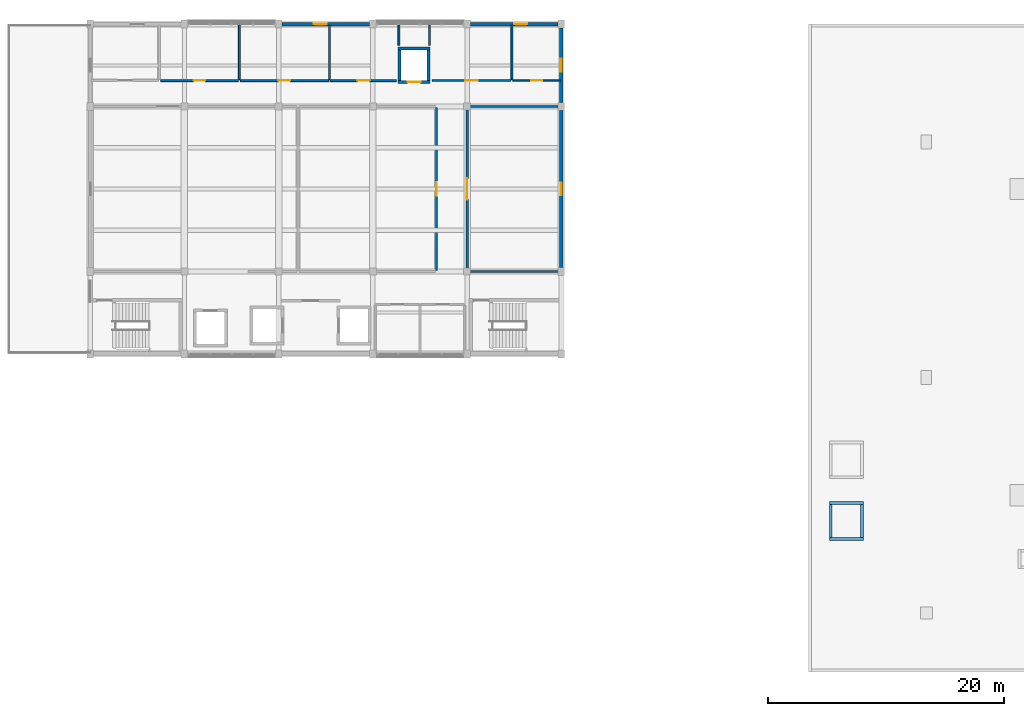
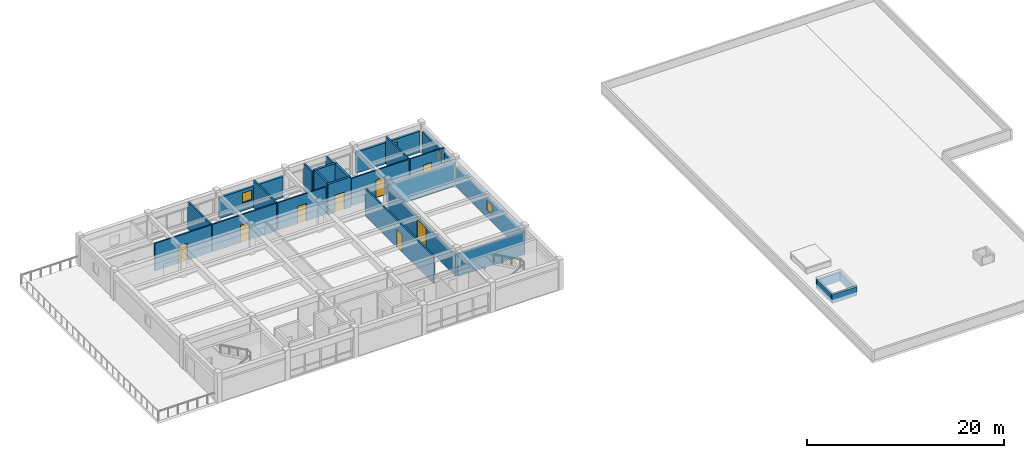
# One storey, part 7 of 10: 26 walls, 8 doors, 4 windows, 12 openings.
"""IFC4 building model written with IfcOpenShell, lengths in metres."""

from ifc_helpers import new_model, si_unit, direction, frame, frame_2d, origin, place, context, subcontext, project, spatial, rectangle, extrude, material, layer, layer_set, type_object, element, fill, save


model = new_model("IFC4")

# Units and contexts
model_context = context("Model", 3, precision=1e-05, world=origin(), true_north=direction((0.0, 1.0)))
body_context = subcontext(model_context, "Body", "Model", "MODEL_VIEW")
ifc_project = project(units=[si_unit("LENGTHUNIT", "METRE"), si_unit("AREAUNIT", "SQUARE_METRE"), si_unit("VOLUMEUNIT", "CUBIC_METRE"), si_unit("PLANEANGLEUNIT", "RADIAN"), si_unit("MASSUNIT", "GRAM", prefix="KILO")], contexts=[model_context])

# Site, building, storey
site_placement = place(None, origin())
site = spatial("IfcSite", under=ifc_project, at=site_placement, CompositionType="ELEMENT")
building_placement = place(site_placement, origin())
building = spatial("IfcBuilding", under=site, at=building_placement, Name="Naurynzar Civic Courthouse", CompositionType="ELEMENT")
storey_placement = place(building_placement, frame((0.0, 0.0, 33.300048828125)))
storey = spatial("IfcBuildingStorey", under=building, at=storey_placement, Name="L09", CompositionType="ELEMENT", Elevation=33.300048828125)

# Walls
ifc_material_1 = material(Name="Acoustic Double-Stud Gypsum Partition")
ifc_layer_1 = layer(ifc_material_1, 0.195068359375)
ifc_layer_set_1 = layer_set([ifc_layer_1], Name="WL-ACOUSTIC-195")
wall_type_1 = type_object("IfcWallType", Name="WL-ACOUSTIC-195", PredefinedType="PARTITIONING", material=ifc_layer_set_1)
for number, where, z_axis, x_axis, name in (
    (1, (101.080078125, 51.0, 0.0), (0.0, 0.0, 1.0), (1.0, 0.0, 0.0), "V2 interior partition L09.813"),
    (2, (101.080078125, 65.0, 0.0), (0.0, 0.0, 1.0), (1.0, 0.0, 0.0), "V2 interior partition L09.816"),
):
    element("IfcWall", number, at=place(storey_placement, frame(where, z_axis=z_axis, x_axis=x_axis)), inside=storey, type_object=wall_type_1, Name=name, PredefinedType="PARTITIONING", context=body_context, shape_type="SweptSolid", body=[
        extrude(rectangle(XDim=7.83984375, YDim=0.195068359375, at=frame_2d((3.919921875, 0.0))), origin(), (0.0, 0.0, 1.0), 2.820068359375),
    ])

# Wall, opening, door
wall_1_placement = place(storey_placement, frame((101.0, 51.080078125, 0.0), z_axis=(0.0, 0.0, 1.0), x_axis=(0.0, 1.0, 0.0)))
wall_1 = element("IfcWall", 3, at=wall_1_placement, inside=storey, type_object=wall_type_1, Name="V2 interior partition L09.833", PredefinedType="PARTITIONING", context=body_context, shape_type="SweptSolid", body=[
    extrude(rectangle(XDim=13.83984375, YDim=0.195068359375, at=frame_2d((6.919921875, 0.0))), origin(), (0.0, 0.0, 1.0), 2.619873046875),
])
opening_1_placement = place(wall_1_placement, frame((6.02001953125, 0.0, 0.0)))
opening_1 = element("IfcOpeningElement", 4, at=opening_1_placement, cuts=wall_1, Name="Opening D-202", PredefinedType="OPENING", context=body_context, shape_type="SweptSolid", body=[
    extrude(rectangle(XDim=1.800048828125, YDim=2.300048828125, at=frame_2d((0.89990234375, 1.14990234375))), frame((0.0, 0.107421875, 0.0), z_axis=(0.0, -1.0, 0.0), x_axis=(1.0, 0.0, 0.0)), (0.0, 0.0, 1.0), 0.215087890625),
])
ifc_material_2 = material(Name="Acoustic Oak Timber Grade A", Category="wood")
door_type_1 = type_object("IfcDoorType", Name="DR-COURT-DBL-1800x2300", OperationType="DOUBLE_DOOR_SINGLE_SWING", PredefinedType="DOOR", material=ifc_material_2)
door_1_placement = place(opening_1_placement, origin())
door_1 = element("IfcDoor", 5, at=door_1_placement, inside=storey, type_object=door_type_1, Name="Interior door D-202 (Civil Chamber Courtroom L09-E)", OperationType="DOUBLE_DOOR_SINGLE_SWING", OverallHeight=2.300048828125, OverallWidth=1.800048828125, PredefinedType="DOOR", context=body_context, shape_type="SweptSolid", body=[
    extrude(rectangle(XDim=1.800048828125, YDim=2.300048828125, at=frame_2d((0.89990234375, 1.14990234375))), frame((0.0, 0.02490234375, 0.0), z_axis=(0.0, -1.0, 0.0), x_axis=(1.0, 0.0, 0.0)), (0.0, 0.0, 1.0), 0.050048828125),
])
fill(opening_1, door_1)

# Wall, opening, window
ifc_material_3 = material(Name="Precast concrete C40/50", Category="concrete")
ifc_layer_2 = layer(ifc_material_3, 0.280029296875)
ifc_layer_set_2 = layer_set([ifc_layer_2], Name="WL-EXT-280")
wall_type_2 = type_object("IfcWallType", Name="WL-EXT-280", PredefinedType="SOLIDWALL", material=ifc_layer_set_2)
wall_2_placement = place(storey_placement, frame((85.27490234375, 72.0, 0.0), z_axis=(0.0, 0.0, 1.0), x_axis=(1.0, 0.0, 0.0)))
wall_2 = element("IfcWall", 6, at=wall_2_placement, inside=storey, type_object=wall_type_2, Name="V2 exterior wall north L09.3.1", PredefinedType="SOLIDWALL", context=body_context, shape_type="SweptSolid", body=[
    extrude(rectangle(XDim=7.4501953125, YDim=0.280029296875, at=frame_2d((3.72509765625, 0.0))), origin(), (0.0, 0.0, 1.0), 2.599853515625),
])
opening_2_placement = place(wall_2_placement, frame((2.715087890625, 0.0, 1.0)))
opening_2 = element("IfcOpeningElement", 7, at=opening_2_placement, cuts=wall_2, Name="Opening WN-15", PredefinedType="OPENING", context=body_context, shape_type="SweptSolid", body=[
    extrude(rectangle(XDim=1.10009765625, YDim=1.199951171875, at=frame_2d((0.550048828125, 0.60009765625))), frame((0.0, 0.14990234375, 0.0), z_axis=(0.0, -1.0, 0.0), x_axis=(1.0, 0.0, 0.0)), (0.0, 0.0, 1.0), 0.300048828125),
])
ifc_material_4 = material(Name="Tempered Laminated Low-E Glass", Category="glass")
window_type = type_object("IfcWindowType", Name="WIN-SEC-1100x1200", PartitioningType="SINGLE_PANEL", PredefinedType="WINDOW", material=ifc_material_4)
window_1_placement = place(opening_2_placement, origin())
window_1 = element("IfcWindow", 8, at=window_1_placement, inside=storey, type_object=window_type, Name="V2 window 128 L09", OverallHeight=1.199951171875, OverallWidth=1.10009765625, PartitioningType="SINGLE_PANEL", PredefinedType="WINDOW", context=body_context, shape_type="SweptSolid", body=[
    extrude(rectangle(XDim=1.10009765625, YDim=1.199951171875, at=frame_2d((0.550048828125, 0.60009765625))), frame((0.0, 0.030029296875, 0.0), z_axis=(0.0, -1.0, 0.0), x_axis=(1.0, 0.0, 0.0)), (0.0, 0.0, 1.0), 0.06005859375),
])
fill(opening_2, window_1)

wall_3_placement = place(storey_placement, frame((101.27490234375, 72.0, 0.0), z_axis=(0.0, 0.0, 1.0), x_axis=(1.0, 0.0, 0.0)))
wall_3 = element("IfcWall", 9, at=wall_3_placement, inside=storey, type_object=wall_type_2, Name="V2 exterior wall north L09.5.1", PredefinedType="SOLIDWALL", context=body_context, shape_type="SweptSolid", body=[
    extrude(rectangle(XDim=7.4501953125, YDim=0.280029296875, at=frame_2d((3.72509765625, 0.0))), origin(), (0.0, 0.0, 1.0), 2.599853515625),
])
opening_3_placement = place(wall_3_placement, frame((3.7451171875, 0.0, 1.0)))
opening_3 = element("IfcOpeningElement", 10, at=opening_3_placement, cuts=wall_3, Name="Opening WN-15", PredefinedType="OPENING", context=body_context, shape_type="SweptSolid", body=[
    extrude(rectangle(XDim=1.10009765625, YDim=1.199951171875, at=frame_2d((0.550048828125, 0.60009765625))), frame((0.0, 0.14990234375, 0.0), z_axis=(0.0, -1.0, 0.0), x_axis=(1.0, 0.0, 0.0)), (0.0, 0.0, 1.0), 0.300048828125),
])
window_2_placement = place(opening_3_placement, origin())
window_2 = element("IfcWindow", 11, at=window_2_placement, inside=storey, type_object=window_type, Name="V2 window 129 L09", OverallHeight=1.199951171875, OverallWidth=1.10009765625, PartitioningType="SINGLE_PANEL", PredefinedType="WINDOW", context=body_context, shape_type="SweptSolid", body=[
    extrude(rectangle(XDim=1.10009765625, YDim=1.199951171875, at=frame_2d((0.550048828125, 0.60009765625))), frame((0.0, 0.030029296875, 0.0), z_axis=(0.0, -1.0, 0.0), x_axis=(1.0, 0.0, 0.0)), (0.0, 0.0, 1.0), 0.06005859375),
])
fill(opening_3, window_2)

wall_4_placement = place(storey_placement, frame((109.0, 71.64990234375, 0.0), z_axis=(0.0, 0.0, 1.0), x_axis=(0.0, -1.0, 0.0)))
wall_4 = element("IfcWall", 12, at=wall_4_placement, inside=storey, type_object=wall_type_2, Name="V2 exterior wall east L09.1.1", PredefinedType="SOLIDWALL", context=body_context, shape_type="SweptSolid", body=[
    extrude(rectangle(XDim=6.2998046875, YDim=0.280029296875, at=frame_2d((3.14990234375, 0.0))), origin(), (0.0, 0.0, 1.0), 2.599853515625),
])
opening_4_placement = place(wall_4_placement, frame((2.60009765625, 0.0, 0.89990234375)))
opening_4 = element("IfcOpeningElement", 13, at=opening_4_placement, cuts=wall_4, Name="Opening WN-15", PredefinedType="OPENING", context=body_context, shape_type="SweptSolid", body=[
    extrude(rectangle(XDim=1.10009765625, YDim=1.199951171875, at=frame_2d((0.550048828125, 0.60009765625))), frame((0.0, 0.14990234375, 0.0), z_axis=(0.0, -1.0, 0.0), x_axis=(1.0, 0.0, 0.0)), (0.0, 0.0, 1.0), 0.300048828125),
])
window_3_placement = place(opening_4_placement, origin())
window_3 = element("IfcWindow", 14, at=window_3_placement, inside=storey, type_object=window_type, Name="V2 window 130 L09", OverallHeight=1.199951171875, OverallWidth=1.10009765625, PartitioningType="SINGLE_PANEL", PredefinedType="WINDOW", context=body_context, shape_type="SweptSolid", body=[
    extrude(rectangle(XDim=1.10009765625, YDim=1.199951171875, at=frame_2d((0.550048828125, 0.60009765625))), frame((0.0, 0.030029296875, 0.0), z_axis=(0.0, -1.0, 0.0), x_axis=(1.0, 0.0, 0.0)), (0.0, 0.0, 1.0), 0.06005859375),
])
fill(opening_4, window_3)

wall_5_placement = place(storey_placement, frame((109.0, 64.64990234375, 0.0), z_axis=(0.0, 0.0, 1.0), x_axis=(0.0, -1.0, 0.0)))
wall_5 = element("IfcWall", 15, at=wall_5_placement, inside=storey, type_object=wall_type_2, Name="V2 exterior wall east L09.2.1", PredefinedType="SOLIDWALL", context=body_context, shape_type="SweptSolid", body=[
    extrude(rectangle(XDim=13.2998046875, YDim=0.280029296875, at=frame_2d((6.64990234375, 0.0))), origin(), (0.0, 0.0, 1.0), 2.599853515625),
])
opening_5_placement = place(wall_5_placement, frame((6.10009765625, 0.0, 0.89990234375)))
opening_5 = element("IfcOpeningElement", 16, at=opening_5_placement, cuts=wall_5, Name="Opening WN-15", PredefinedType="OPENING", context=body_context, shape_type="SweptSolid", body=[
    extrude(rectangle(XDim=1.10009765625, YDim=1.199951171875, at=frame_2d((0.550048828125, 0.60009765625))), frame((0.0, 0.14990234375, 0.0), z_axis=(0.0, -1.0, 0.0), x_axis=(1.0, 0.0, 0.0)), (0.0, 0.0, 1.0), 0.300048828125),
])
window_4_placement = place(opening_5_placement, origin())
window_4 = element("IfcWindow", 17, at=window_4_placement, inside=storey, type_object=window_type, Name="V2 window 131 L09", OverallHeight=1.199951171875, OverallWidth=1.10009765625, PartitioningType="SINGLE_PANEL", PredefinedType="WINDOW", context=body_context, shape_type="SweptSolid", body=[
    extrude(rectangle(XDim=1.10009765625, YDim=1.199951171875, at=frame_2d((0.550048828125, 0.60009765625))), frame((0.0, 0.030029296875, 0.0), z_axis=(0.0, -1.0, 0.0), x_axis=(1.0, 0.0, 0.0)), (0.0, 0.0, 1.0), 0.06005859375),
])
fill(opening_5, window_4)

# Wall, opening, door
ifc_material_5 = material(Name="Insulated Metal-Stud Gypsum Partition")
ifc_layer_3 = layer(ifc_material_5, 0.159912109375)
ifc_layer_set_3 = layer_set([ifc_layer_3], Name="WL-PART-CHAMB-160")
wall_type_3 = type_object("IfcWallType", Name="WL-PART-CHAMB-160", PredefinedType="PARTITIONING", material=ifc_layer_set_3)
wall_6_placement = place(storey_placement, frame((74.969970703125, 67.199951171875, 0.0), z_axis=(0.0, 0.0, 1.0), x_axis=(1.0, 0.0, 0.0)))
wall_6 = element("IfcWall", 18, at=wall_6_placement, inside=storey, type_object=wall_type_3, Name="V2 interior partition L09.818", PredefinedType="PARTITIONING", context=body_context, shape_type="SweptSolid", body=[
    extrude(rectangle(XDim=6.610107421875, YDim=0.159912109375, at=frame_2d((3.30517578125, 0.0))), origin(), (0.0, 0.0, 1.0), 3.389892578125),
])
opening_6_placement = place(wall_6_placement, frame((2.81494140625, 0.0, 0.0)))
opening_6 = element("IfcOpeningElement", 19, at=opening_6_placement, cuts=wall_6, Name="Opening D-204", PredefinedType="OPENING", context=body_context, shape_type="SweptSolid", body=[
    extrude(rectangle(XDim=0.97998046875, YDim=2.10009765625, at=frame_2d((0.489990234375, 1.050048828125))), frame((0.0, 0.08984375, 0.0), z_axis=(0.0, -1.0, 0.0), x_axis=(1.0, 0.0, 0.0)), (0.0, 0.0, 1.0), 0.179931640625),
])
ifc_material_6 = material(Name="Acoustic Oak Timber Grade A", Category="wood")
door_type_2 = type_object("IfcDoorType", Name="DR-SUITE-980x2100", OperationType="NOTDEFINED", PredefinedType="DOOR", material=ifc_material_6)
door_2_placement = place(opening_6_placement, origin())
door_2 = element("IfcDoor", 20, at=door_2_placement, inside=storey, type_object=door_type_2, Name="Interior door D-204 (Judges' Chambers L09-2)", OperationType="SINGLE_SWING_RIGHT", OverallHeight=2.10009765625, OverallWidth=0.97998046875, PredefinedType="DOOR", context=body_context, shape_type="SweptSolid", body=[
    extrude(rectangle(XDim=0.97998046875, YDim=2.10009765625, at=frame_2d((0.489990234375, 1.050048828125))), frame((0.0, 0.02490234375, 0.0), z_axis=(0.0, -1.0, 0.0), x_axis=(1.0, 0.0, 0.0)), (0.0, 0.0, 1.0), 0.050048828125),
])
fill(opening_6, door_2)

wall_7_placement = place(storey_placement, frame((81.739990234375, 67.199951171875, 0.0), z_axis=(0.0, 0.0, 1.0), x_axis=(1.0, 0.0, 0.0)))
wall_7 = element("IfcWall", 21, at=wall_7_placement, inside=storey, type_object=wall_type_3, Name="V2 interior partition L09.819", PredefinedType="PARTITIONING", context=body_context, shape_type="SweptSolid", body=[
    extrude(rectangle(XDim=7.489990234375, YDim=0.159912109375, at=frame_2d((3.7451171875, 0.0))), origin(), (0.0, 0.0, 1.0), 3.389892578125),
])
opening_7_placement = place(wall_7_placement, frame((3.235107421875, 0.0, 0.0)))
opening_7 = element("IfcOpeningElement", 22, at=opening_7_placement, cuts=wall_7, Name="Opening D-205", PredefinedType="OPENING", context=body_context, shape_type="SweptSolid", body=[
    extrude(rectangle(XDim=1.02001953125, YDim=2.14990234375, at=frame_2d((0.510009765625, 1.074951171875))), frame((0.0, 0.08984375, 0.0), z_axis=(0.0, -1.0, 0.0), x_axis=(1.0, 0.0, 0.0)), (0.0, 0.0, 1.0), 0.179931640625),
])
ifc_material_7 = material(Name="Acoustic Oak Timber Grade A", Category="wood")
door_type_3 = type_object("IfcDoorType", Name="DR-SUITE-1020x2150", OperationType="NOTDEFINED", PredefinedType="DOOR", material=ifc_material_7)
door_3_placement = place(opening_7_placement, origin())
door_3 = element("IfcDoor", 23, at=door_3_placement, inside=storey, type_object=door_type_3, Name="Interior door D-205 (Judges' Chambers L09-3)", OperationType="SINGLE_SWING_LEFT", OverallHeight=2.14990234375, OverallWidth=1.02001953125, PredefinedType="DOOR", context=body_context, shape_type="SweptSolid", body=[
    extrude(rectangle(XDim=1.02001953125, YDim=2.14990234375, at=frame_2d((0.510009765625, 1.074951171875))), frame((0.0, 0.02490234375, 0.0), z_axis=(0.0, -1.0, 0.0), x_axis=(1.0, 0.0, 0.0)), (0.0, 0.0, 1.0), 0.050048828125),
])
fill(opening_7, door_3)

wall_8_placement = place(storey_placement, frame((89.389892578125, 67.199951171875, 0.0), z_axis=(0.0, 0.0, 1.0), x_axis=(1.0, 0.0, 0.0)))
wall_8 = element("IfcWall", 24, at=wall_8_placement, inside=storey, type_object=wall_type_3, Name="V2 interior partition L09.820", PredefinedType="PARTITIONING", context=body_context, shape_type="SweptSolid", body=[
    extrude(rectangle(XDim=5.610107421875, YDim=0.159912109375, at=frame_2d((2.80517578125, 0.0))), origin(), (0.0, 0.0, 1.0), 3.389892578125),
])
opening_8_placement = place(wall_8_placement, frame((2.284912109375, 0.0, 0.0)))
opening_8 = element("IfcOpeningElement", 25, at=opening_8_placement, cuts=wall_8, Name="Opening D-206", PredefinedType="OPENING", context=body_context, shape_type="SweptSolid", body=[
    extrude(rectangle(XDim=1.0400390625, YDim=2.14990234375, at=frame_2d((0.52001953125, 1.074951171875))), frame((0.0, 0.08984375, 0.0), z_axis=(0.0, -1.0, 0.0), x_axis=(1.0, 0.0, 0.0)), (0.0, 0.0, 1.0), 0.179931640625),
])
ifc_material_8 = material(Name="Acoustic Oak Timber Grade A", Category="wood")
door_type_4 = type_object("IfcDoorType", Name="DR-SUITE-1040x2150", OperationType="NOTDEFINED", PredefinedType="DOOR", material=ifc_material_8)
door_4_placement = place(opening_8_placement, origin())
door_4 = element("IfcDoor", 26, at=door_4_placement, inside=storey, type_object=door_type_4, Name="Interior door D-206 (Judges' Chambers L09-4)", OperationType="SINGLE_SWING_RIGHT", OverallHeight=2.14990234375, OverallWidth=1.0400390625, PredefinedType="DOOR", context=body_context, shape_type="SweptSolid", body=[
    extrude(rectangle(XDim=1.0400390625, YDim=2.14990234375, at=frame_2d((0.52001953125, 1.074951171875))), frame((0.0, 0.02490234375, 0.0), z_axis=(0.0, -1.0, 0.0), x_axis=(1.0, 0.0, 0.0)), (0.0, 0.0, 1.0), 0.050048828125),
])
fill(opening_8, door_4)

wall_9_placement = place(storey_placement, frame((98.0, 67.199951171875, 0.0), z_axis=(0.0, 0.0, 1.0), x_axis=(1.0, 0.0, 0.0)))
wall_9 = element("IfcWall", 27, at=wall_9_placement, inside=storey, type_object=wall_type_3, Name="V2 interior partition L09.821", PredefinedType="PARTITIONING", context=body_context, shape_type="SweptSolid", body=[
    extrude(rectangle(XDim=6.719970703125, YDim=0.159912109375, at=frame_2d((3.35986328125, 0.0))), origin(), (0.0, 0.0, 1.0), 3.389892578125),
])
opening_9_placement = place(wall_9_placement, frame((2.830078125, 0.0, 0.0)))
opening_9 = element("IfcOpeningElement", 28, at=opening_9_placement, cuts=wall_9, Name="Opening D-207", PredefinedType="OPENING", context=body_context, shape_type="SweptSolid", body=[
    extrude(rectangle(XDim=1.06005859375, YDim=2.199951171875, at=frame_2d((0.530029296875, 1.10009765625))), frame((0.0, 0.08984375, 0.0), z_axis=(0.0, -1.0, 0.0), x_axis=(1.0, 0.0, 0.0)), (0.0, 0.0, 1.0), 0.179931640625),
])
ifc_material_9 = material(Name="Acoustic Oak Timber Grade A", Category="wood")
door_type_5 = type_object("IfcDoorType", Name="DR-SUITE-1060x2200", OperationType="NOTDEFINED", PredefinedType="DOOR", material=ifc_material_9)
door_5_placement = place(opening_9_placement, origin())
door_5 = element("IfcDoor", 29, at=door_5_placement, inside=storey, type_object=door_type_5, Name="Interior door D-207 (Senior Judges' Chambers L09-E)", OperationType="SINGLE_SWING_LEFT", OverallHeight=2.199951171875, OverallWidth=1.06005859375, PredefinedType="DOOR", context=body_context, shape_type="SweptSolid", body=[
    extrude(rectangle(XDim=1.06005859375, YDim=2.199951171875, at=frame_2d((0.530029296875, 1.10009765625))), frame((0.0, 0.02490234375, 0.0), z_axis=(0.0, -1.0, 0.0), x_axis=(1.0, 0.0, 0.0)), (0.0, 0.0, 1.0), 0.050048828125),
])
fill(opening_9, door_5)

# Walls
for number, where, z_axis, x_axis, name in (
    (30, (81.659912109375, 67.280029296875, 0.0), (0.0, 0.0, 1.0), (0.0, 1.0, 0.0), "V2 interior partition L09.824"),
    (31, (89.31005859375, 67.280029296875, 0.0), (0.0, 0.0, 1.0), (0.0, 1.0, 0.0), "V2 interior partition L09.826"),
):
    element("IfcWall", number, at=place(storey_placement, frame(where, z_axis=z_axis, x_axis=x_axis)), inside=storey, type_object=wall_type_3, Name=name, PredefinedType="PARTITIONING", context=body_context, shape_type="SweptSolid", body=[
        extrude(rectangle(XDim=4.639892578125, YDim=0.159912109375, at=frame_2d((2.31982421875, 0.0))), origin(), (0.0, 0.0, 1.0), 3.389892578125),
    ])
for number, where, z_axis, x_axis, name in (
    (32, (95.199951171875, 70.199951171875, 0.0), (0.0, 0.0, 1.0), (0.0, 1.0, 0.0), "V2 interior partition L09.828"),
    (33, (97.800048828125, 70.199951171875, 0.0), (0.0, 0.0, 1.0), (0.0, 1.0, 0.0), "V2 interior partition L09.830"),
):
    element("IfcWall", number, at=place(storey_placement, frame(where, z_axis=z_axis, x_axis=x_axis)), inside=storey, type_object=wall_type_3, Name=name, PredefinedType="PARTITIONING", context=body_context, shape_type="SweptSolid", body=[
        extrude(rectangle(XDim=1.719970703125, YDim=0.159912109375, at=frame_2d((0.85986328125, 0.0))), origin(), (0.0, 0.0, 1.0), 3.389892578125),
    ])
wall_10_placement = place(storey_placement, frame((104.800048828125, 67.280029296875, 0.0), z_axis=(0.0, 0.0, 1.0), x_axis=(0.0, 1.0, 0.0)))
element("IfcWall", 34, at=wall_10_placement, inside=storey, type_object=wall_type_3, Name="V2 interior partition L09.834", PredefinedType="PARTITIONING", context=body_context, shape_type="SweptSolid", body=[
    extrude(rectangle(XDim=4.639892578125, YDim=0.159912109375, at=frame_2d((2.31982421875, 0.0))), origin(), (0.0, 0.0, 1.0), 3.389892578125),
])

# Wall, opening, door
ifc_material_10 = material(Name="Acoustic Double-Stud Gypsum Partition")
ifc_layer_4 = layer(ifc_material_10, 0.179931640625)
ifc_layer_set_4 = layer_set([ifc_layer_4], Name="WL-PART-JURY-180")
wall_type_4 = type_object("IfcWallType", Name="WL-PART-JURY-180", PredefinedType="PARTITIONING", material=ifc_layer_set_4)
wall_11_placement = place(storey_placement, frame((98.39990234375, 51.080078125, 0.0), z_axis=(0.0, 0.0, 1.0), x_axis=(0.0, 1.0, 0.0)))
wall_11 = element("IfcWall", 35, at=wall_11_placement, inside=storey, type_object=wall_type_4, Name="V2 interior partition L09.831", PredefinedType="PARTITIONING", context=body_context, shape_type="SweptSolid", body=[
    extrude(rectangle(XDim=13.83984375, YDim=0.179931640625, at=frame_2d((6.919921875, 0.0))), origin(), (0.0, 0.0, 1.0), 3.389892578125),
])
opening_10_placement = place(wall_11_placement, frame((6.344970703125, 0.0, 0.0)))
opening_10 = element("IfcOpeningElement", 36, at=opening_10_placement, cuts=wall_11, Name="Opening D-201", PredefinedType="OPENING", context=body_context, shape_type="SweptSolid", body=[
    extrude(rectangle(XDim=1.14990234375, YDim=2.199951171875, at=frame_2d((0.574951171875, 1.10009765625))), frame((0.0, 0.099853515625, 0.0), z_axis=(0.0, -1.0, 0.0), x_axis=(1.0, 0.0, 0.0)), (0.0, 0.0, 1.0), 0.199951171875),
])
ifc_material_11 = material(Name="Acoustic Oak Timber Grade A", Category="wood")
door_type_6 = type_object("IfcDoorType", Name="DR-JURY-1150x2200", OperationType="NOTDEFINED", PredefinedType="DOOR", material=ifc_material_11)
door_6_placement = place(opening_10_placement, origin())
door_6 = element("IfcDoor", 37, at=door_6_placement, inside=storey, type_object=door_type_6, Name="Interior door D-201 (Panel Deliberation Room 9A)", OperationType="SINGLE_SWING_LEFT", OverallHeight=2.199951171875, OverallWidth=1.14990234375, PredefinedType="DOOR", context=body_context, shape_type="SweptSolid", body=[
    extrude(rectangle(XDim=1.14990234375, YDim=2.199951171875, at=frame_2d((0.574951171875, 1.10009765625))), frame((0.0, 0.02490234375, 0.0), z_axis=(0.0, -1.0, 0.0), x_axis=(1.0, 0.0, 0.0)), (0.0, 0.0, 1.0), 0.050048828125),
])
fill(opening_10, door_6)

ifc_material_12 = material(Name="Moisture-Resistant Plumbing Partition")
ifc_layer_5 = layer(ifc_material_12, 0.139892578125)
ifc_layer_set_5 = layer_set([ifc_layer_5], Name="WL-PART-WC-140")
wall_type_5 = type_object("IfcWallType", Name="WL-PART-WC-140", PredefinedType="PLUMBINGWALL", material=ifc_layer_set_5)
wall_12_placement = place(storey_placement, frame((104.8798828125, 67.199951171875, 0.0), z_axis=(0.0, 0.0, 1.0), x_axis=(1.0, 0.0, 0.0)))
wall_12 = element("IfcWall", 38, at=wall_12_placement, inside=storey, type_object=wall_type_5, Name="V2 interior partition L09.822", PredefinedType="PLUMBINGWALL", context=body_context, shape_type="SweptSolid", body=[
    extrude(rectangle(XDim=4.0400390625, YDim=0.139892578125, at=frame_2d((2.02001953125, 0.0))), origin(), (0.0, 0.0, 1.0), 3.389892578125),
])
opening_11_placement = place(wall_12_placement, frame((1.56005859375, 0.0, 0.0)))
opening_11 = element("IfcOpeningElement", 39, at=opening_11_placement, cuts=wall_12, Name="Opening D-208", PredefinedType="OPENING", context=body_context, shape_type="SweptSolid", body=[
    extrude(rectangle(XDim=0.919921875, YDim=2.10009765625, at=frame_2d((0.4599609375, 1.050048828125))), frame((0.0, 0.079833984375, 0.0), z_axis=(0.0, -1.0, 0.0), x_axis=(1.0, 0.0, 0.0)), (0.0, 0.0, 1.0), 0.159912109375),
])
ifc_material_13 = material(Name="Acoustic Oak Timber Grade A", Category="wood")
door_type_7 = type_object("IfcDoorType", Name="DR-WC-STD-920x2100", OperationType="NOTDEFINED", PredefinedType="DOOR", material=ifc_material_13)
door_7_placement = place(opening_11_placement, origin())
door_7 = element("IfcDoor", 40, at=door_7_placement, inside=storey, type_object=door_type_7, Name="Interior door D-208 (Judicial Staff WC V2)", OperationType="SINGLE_SWING_RIGHT", OverallHeight=2.10009765625, OverallWidth=0.919921875, PredefinedType="DOOR", context=body_context, shape_type="SweptSolid", body=[
    extrude(rectangle(XDim=0.919921875, YDim=2.10009765625, at=frame_2d((0.4599609375, 1.050048828125))), frame((0.0, 0.02490234375, 0.0), z_axis=(0.0, -1.0, 0.0), x_axis=(1.0, 0.0, 0.0)), (0.0, 0.0, 1.0), 0.050048828125),
])
fill(opening_11, door_7)

ifc_material_14 = material(Name="Concrete C40/50", Category="concrete")
ifc_layer_6 = layer(ifc_material_14, 0.25)
ifc_layer_set_6 = layer_set([ifc_layer_6], Name="WL-SHAFT-250")
wall_type_6 = type_object("IfcWallType", Name="WL-SHAFT-250", PredefinedType="SHEAR", material=ifc_layer_set_6)
wall_13_placement = place(storey_placement, frame((95.14990234375, 67.074951171875, 0.0), z_axis=(0.0, 0.0, 1.0), x_axis=(1.0, 0.0, 0.0)))
wall_13 = element("IfcWall", 41, at=wall_13_placement, inside=storey, type_object=wall_type_6, Name="Lift LJ-02 shaft wall south L09", PredefinedType="SHEAR", context=body_context, shape_type="SweptSolid", body=[
    extrude(rectangle(XDim=2.7001953125, YDim=0.25, at=frame_2d((1.35009765625, 0.0))), origin(), (0.0, 0.0, 1.0), 3.75),
])
opening_12_placement = place(wall_13_placement, frame((0.800048828125, 0.0, 0.0)))
opening_12 = element("IfcOpeningElement", 42, at=opening_12_placement, cuts=wall_13, Name="Opening LD-059", PredefinedType="OPENING", context=body_context, shape_type="SweptSolid", body=[
    extrude(rectangle(XDim=1.10009765625, YDim=2.14990234375, at=frame_2d((0.550048828125, 1.074951171875))), frame((0.0, 0.135009765625, 0.0), z_axis=(0.0, -1.0, 0.0), x_axis=(1.0, 0.0, 0.0)), (0.0, 0.0, 1.0), 0.27001953125),
])
ifc_material_15 = material(Name="Brushed Stainless Steel 304", Category="steel")
door_type_8 = type_object("IfcDoorType", Name="DR-LIFT-SLIDE-1100x2150", OperationType="DOUBLE_DOOR_SLIDING", PredefinedType="DOOR", material=ifc_material_15)
door_8_placement = place(opening_12_placement, origin())
door_8 = element("IfcDoor", 43, at=door_8_placement, inside=storey, type_object=door_type_8, Name="Lift LJ-02 sliding landing door L09", OperationType="DOUBLE_DOOR_SLIDING", OverallHeight=2.14990234375, OverallWidth=1.10009765625, PredefinedType="DOOR", context=body_context, shape_type="SweptSolid", body=[
    extrude(rectangle(XDim=1.10009765625, YDim=2.14990234375, at=frame_2d((0.550048828125, 1.074951171875))), frame((0.0, 0.02490234375, 0.0), z_axis=(0.0, -1.0, 0.0), x_axis=(1.0, 0.0, 0.0)), (0.0, 0.0, 1.0), 0.050048828125),
])
fill(opening_12, door_8)

# Walls
wall_14_placement = place(storey_placement, frame((97.85009765625, 69.925048828125, 0.0), z_axis=(0.0, 0.0, 1.0), x_axis=(-1.0, 0.0, 0.0)))
element("IfcWall", 44, at=wall_14_placement, inside=storey, type_object=wall_type_6, Name="Lift LJ-02 shaft wall north L09", PredefinedType="SHEAR", context=body_context, shape_type="SweptSolid", body=[
    extrude(rectangle(XDim=2.7001953125, YDim=0.25, at=frame_2d((1.35009765625, 0.0))), origin(), (0.0, 0.0, 1.0), 3.75),
])
for number, where, z_axis, x_axis, name in (
    (45, (95.27490234375, 69.794921875, 0.0), (0.0, 0.0, 1.0), (0.0, -1.0, 0.0), "Lift LJ-02 shaft wall west L09"),
    (46, (97.72509765625, 67.205078125, 0.0), (0.0, 0.0, 1.0), (0.0, 1.0, 0.0), "Lift LJ-02 shaft wall east L09"),
):
    element("IfcWall", number, at=place(storey_placement, frame(where, z_axis=z_axis, x_axis=x_axis)), inside=storey, type_object=wall_type_6, Name=name, PredefinedType="SHEAR", context=body_context, shape_type="SweptSolid", body=[
        extrude(rectangle(XDim=2.58984375, YDim=0.25, at=frame_2d((1.294921875, 0.0))), origin(), (0.0, 0.0, 1.0), 3.75),
    ])
for number, where, z_axis, x_axis, name in (
    (47, (131.75, 28.27490234375, -0.280029296875), (0.0, 0.0, 1.0), (1.0, 0.0, 0.0), "Lift LP-06 overrun shaft wall south"),
    (48, (134.64990234375, 31.324951171875, -0.280029296875), (0.0, 0.0, 1.0), (-1.0, 0.0, 0.0), "Lift LP-06 overrun shaft wall north"),
):
    element("IfcWall", number, at=place(storey_placement, frame(where, z_axis=z_axis, x_axis=x_axis)), inside=storey, type_object=wall_type_6, Name=name, PredefinedType="SHEAR", context=body_context, shape_type="SweptSolid", body=[
        extrude(rectangle(XDim=2.89990234375, YDim=0.25, at=frame_2d((1.449951171875, 0.0))), origin(), (0.0, 0.0, 1.0), 1.080078125),
    ])
for number, where, z_axis, x_axis, name in (
    (49, (131.875, 31.195068359375, -0.280029296875), (0.0, 0.0, 1.0), (0.0, -1.0, 0.0), "Lift LP-06 overrun shaft wall west"),
    (50, (134.52490234375, 28.405029296875, -0.280029296875), (0.0, 0.0, 1.0), (0.0, 1.0, 0.0), "Lift LP-06 overrun shaft wall east"),
):
    element("IfcWall", number, at=place(storey_placement, frame(where, z_axis=z_axis, x_axis=x_axis)), inside=storey, type_object=wall_type_6, Name=name, PredefinedType="SHEAR", context=body_context, shape_type="SweptSolid", body=[
        extrude(rectangle(XDim=2.7900390625, YDim=0.25, at=frame_2d((1.39501953125, 0.0))), origin(), (0.0, 0.0, 1.0), 1.080078125),
    ])

save(model, "model.ifc")
